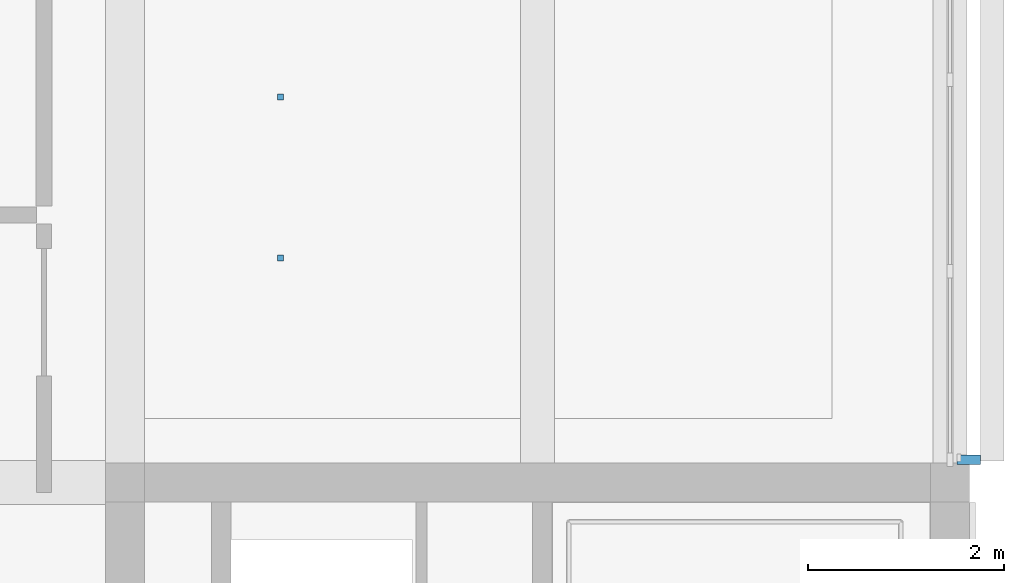
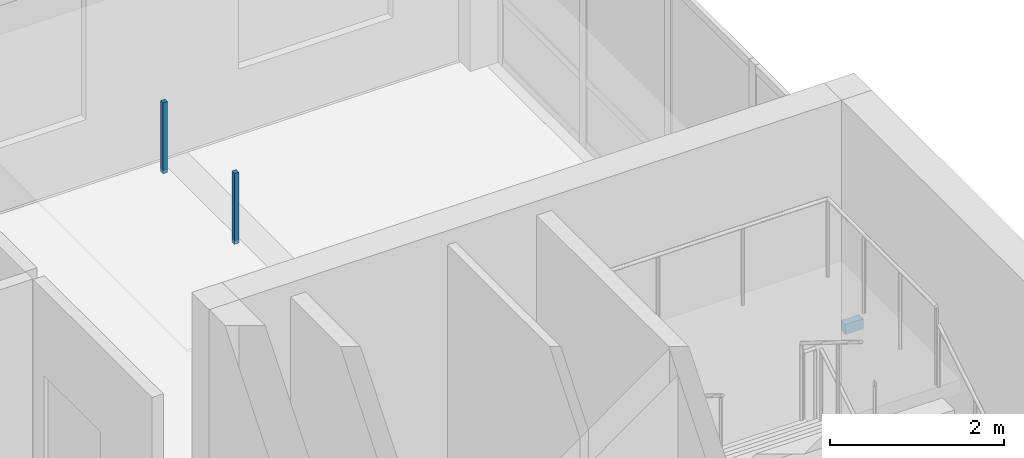
# One storey, part 20 of 34: 3 discrete accessories.
"""IFC4 building model written with IfcOpenShell, lengths in metres."""

from ifc_helpers import new_model, si_unit, direction, frame, origin, origin_2d, place, context, subcontext, project, spatial, rectangle, extrude, material, type_object, element, save


model = new_model("IFC4")

# Units and contexts
model_context = context("Model", 3, precision=1e-05, world=origin(), true_north=direction((0.0, 1.0)))
body_context = subcontext(model_context, "Body", "Model", "MODEL_VIEW")
ifc_project = project(units=[si_unit("LENGTHUNIT", "METRE"), si_unit("AREAUNIT", "SQUARE_METRE"), si_unit("VOLUMEUNIT", "CUBIC_METRE"), si_unit("PLANEANGLEUNIT", "RADIAN"), si_unit("MASSUNIT", "GRAM", prefix="KILO")], contexts=[model_context])

# Site, building, storey
site_placement = place(None, origin())
site = spatial("IfcSite", under=ifc_project, at=site_placement, CompositionType="ELEMENT")
building_placement = place(site_placement, origin())
building = spatial("IfcBuilding", under=site, at=building_placement, Name="Telukmera Botanical Conservatory", CompositionType="ELEMENT")
storey_placement = place(building_placement, frame((0.0, 0.0, 37.5)))
storey = spatial("IfcBuildingStorey", under=building, at=storey_placement, Name="L08", CompositionType="ELEMENT", Elevation=37.5)

# Discrete accessories
ifc_material = material(Name="Steel S355", Category="steel")
discrete_accessory_type_1 = type_object("IfcDiscreteAccessoryType", Name="ACC-CEIL-HGR", PredefinedType="BRACKET", material=ifc_material)
for number, where, z_axis, x_axis, name in (
    (1, (93.98388671875, 36.6875, 3.31005859375), (0.0, 0.0, 1.0), (1.0, 0.0, 0.0), "L08 Suspended Ceiling Hanger Rod 036-1"),
    (2, (93.98388671875, 38.324951171875, 3.31005859375), (0.0, 0.0, 1.0), (1.0, 0.0, 0.0), "L08 Suspended Ceiling Hanger Rod 036-2"),
):
    element("IfcDiscreteAccessory", number, at=place(storey_placement, frame(where, z_axis=z_axis, x_axis=x_axis)), inside=storey, type_object=discrete_accessory_type_1, Name=name, PredefinedType="BRACKET", context=body_context, shape_type="SweptSolid", body=[
        extrude(rectangle(XDim=0.06005859375, YDim=0.06005859375, at=origin_2d()), origin(), (0.0, 0.0, 1.0), 0.9951171875),
    ])
discrete_accessory_type_2 = type_object("IfcDiscreteAccessoryType", Name="Structural Steel Facade Outrigger Fin Bracket", PredefinedType="BRACKET", material=ifc_material)
discrete_accessory_placement = place(storey_placement, frame((100.989990234375, 34.632080078125, 0.8798828125), z_axis=(0.0, 0.0, 1.0), x_axis=(0.0, 1.0, 0.0)))
element("IfcDiscreteAccessory", 3, at=discrete_accessory_placement, inside=storey, type_object=discrete_accessory_type_2, Name="Facade Outrigger Bracket V4:L08:E4 A", PredefinedType="BRACKET", context=body_context, shape_type="SweptSolid", body=[
    extrude(rectangle(XDim=0.10009765625, YDim=0.239990234375, at=origin_2d()), origin(), (0.0, 0.0, 1.0), 0.139892578125),
])

save(model, "model.ifc")
